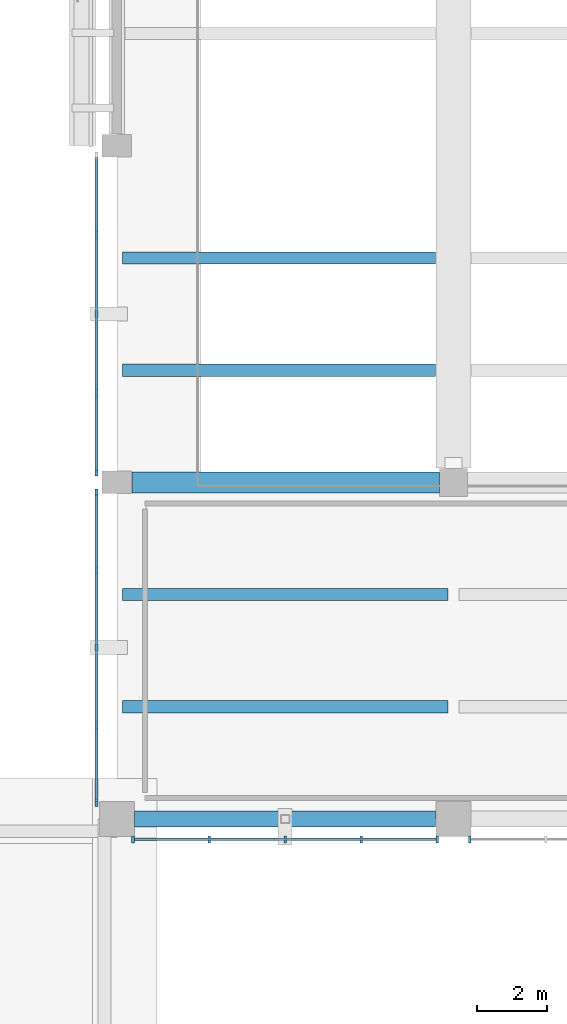
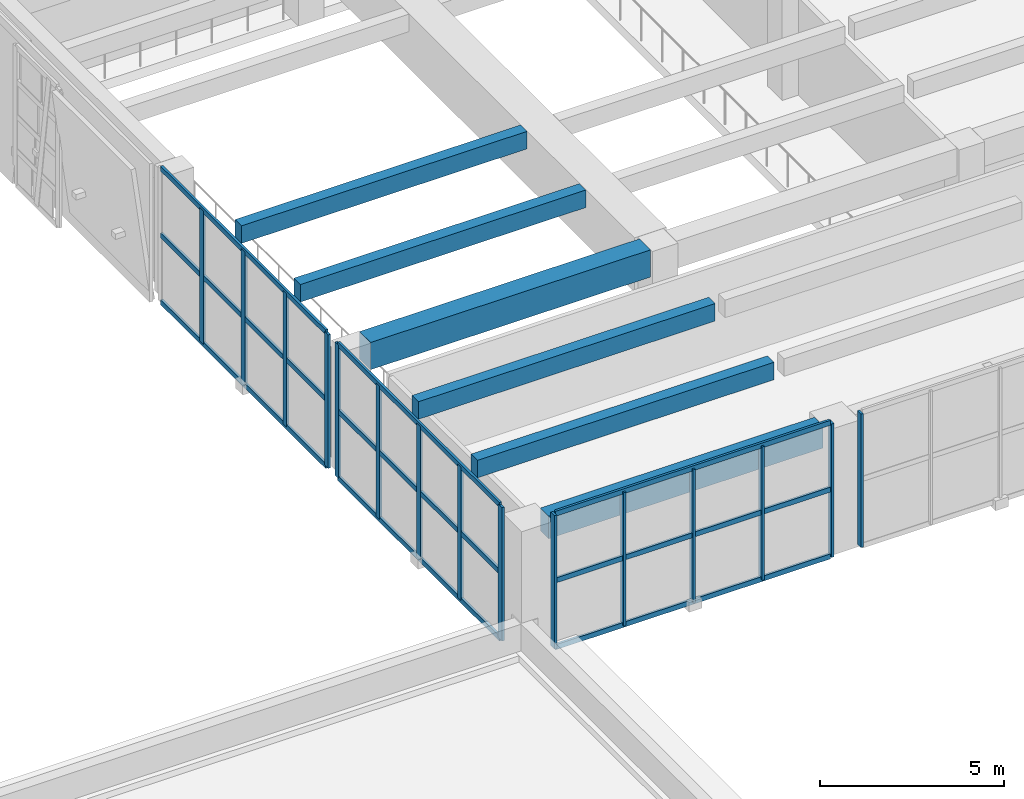
# One storey, part 6 of 49: 24 members, 6 beams, 4 elements without a shape of their own.
"""IFC4 building model written with IfcOpenShell, lengths in metres."""

from ifc_helpers import new_model, si_unit, direction, frame, origin, origin_2d, place, context, subcontext, project, spatial, rectangle, extrude, material, layer, layer_set, material_profile, profile_set, type_object, element, aggregate, save


model = new_model("IFC4")

# Units and contexts
model_context = context("Model", 3, precision=1e-05, world=origin(), true_north=direction((0.0, 1.0)))
body_context = subcontext(model_context, "Body", "Model", "MODEL_VIEW")
ifc_project = project(units=[si_unit("LENGTHUNIT", "METRE"), si_unit("AREAUNIT", "SQUARE_METRE"), si_unit("VOLUMEUNIT", "CUBIC_METRE"), si_unit("PLANEANGLEUNIT", "RADIAN"), si_unit("MASSUNIT", "GRAM", prefix="KILO")], contexts=[model_context])

# Site, building, storey
site_placement = place(None, origin())
site = spatial("IfcSite", under=ifc_project, at=site_placement, CompositionType="ELEMENT")
building_placement = place(site_placement, origin())
building = spatial("IfcBuilding", under=site, at=building_placement, Name="Bempovik Park Faculty of Sciences", CompositionType="ELEMENT")
storey_placement = place(building_placement, frame((0.0, 0.0, 5.39990234375)))
storey = spatial("IfcBuildingStorey", under=building, at=storey_placement, Name="L01", CompositionType="ELEMENT", Elevation=5.39990234375)

# Beams
ifc_material_1 = material(Name="Concrete C35/45", Category="concrete")
ifc_material_profile_1 = material_profile(ifc_material_1, rectangle(XDim=0.35009765625, YDim=0.580078125, at=origin_2d()), Name="RC 350x580")
ifc_profile_set_1 = profile_set([ifc_material_profile_1], Name="Concrete C35/45")
beam_type_1 = type_object("IfcBeamType", Name="B-107 RC 350x580", PredefinedType="JOIST", material=ifc_profile_set_1)
for number, where, z_axis, x_axis, name in (
    (1, (60.156005859375, 23.0, 3.89013671875), (1.0, 0.0, 0.0), (0.0, 1.0, 0.0), "L01 Secondary Joist (60.0-69.6, y=23.00)"),
    (2, (60.156005859375, 26.199951171875, 3.89013671875), (1.0, 0.0, 0.0), (0.0, 1.0, 0.0), "L01 Secondary Joist (60.0-69.6, y=26.20)"),
):
    element("IfcBeam", number, at=place(storey_placement, frame(where, z_axis=z_axis, x_axis=x_axis)), inside=storey, type_object=beam_type_1, Name=name, PredefinedType="JOIST", context=body_context, shape_type="SweptSolid", body=[
        extrude(rectangle(XDim=0.35009765625, YDim=0.580078125, at=origin_2d()), origin(), (0.0, 0.0, 1.0), 9.2880859375),
    ])
for number, where, z_axis, x_axis, name in (
    (3, (60.156005859375, 32.60009765625, 3.89013671875), (1.0, 0.0, 0.0), (0.0, 1.0, 0.0), "L01 Secondary Joist (60.0-69.6, y=32.60)"),
    (4, (60.156005859375, 35.800048828125, 3.89013671875), (1.0, 0.0, 0.0), (0.0, 1.0, 0.0), "L01 Secondary Joist (60.0-69.6, y=35.80)"),
):
    element("IfcBeam", number, at=place(storey_placement, frame(where, z_axis=z_axis, x_axis=x_axis)), inside=storey, type_object=beam_type_1, Name=name, PredefinedType="JOIST", context=body_context, shape_type="SweptSolid", body=[
        extrude(rectangle(XDim=0.35009765625, YDim=0.580078125, at=origin_2d()), origin(), (0.0, 0.0, 1.0), 8.93798828125),
    ])
ifc_material_2 = material(Name="Concrete C40/50", Category="concrete")
ifc_material_profile_2 = material_profile(ifc_material_2, rectangle(XDim=0.60009765625, YDim=0.89990234375, at=origin_2d()), Name="RC 600x900")
ifc_profile_set_2 = profile_set([ifc_material_profile_2], Name="Concrete C40/50")
beam_type_2 = type_object("IfcBeamType", Name="B-115 RC 600x900", PredefinedType="BEAM", material=ifc_profile_set_2)
beam_1_placement = place(storey_placement, frame((60.430908203125, 29.39990234375, 3.72998046875), z_axis=(1.0, 0.0, 0.0), x_axis=(0.0, 1.0, 0.0)))
element("IfcBeam", 5, at=beam_1_placement, inside=storey, type_object=beam_type_2, Name="L01 Beam X (60.0-69.6, y=29.4)", PredefinedType="BEAM", context=body_context, shape_type="SweptSolid", body=[
    extrude(rectangle(XDim=0.60009765625, YDim=0.89990234375, at=origin_2d()), origin(), (0.0, 0.0, 1.0), 8.76318359375),
])
ifc_material_profile_3 = material_profile(ifc_material_2, rectangle(XDim=0.449951171875, YDim=0.75, at=origin_2d()), Name="RC 450x750")
ifc_profile_set_3 = profile_set([ifc_material_profile_3], Name="Concrete C40/50")
beam_type_3 = type_object("IfcBeamType", Name="B-130 RC 450x750", PredefinedType="SPANDREL", material=ifc_profile_set_3)
beam_2_placement = place(storey_placement, frame((60.506103515625, 19.800048828125, 3.80517578125), z_axis=(1.0, 0.0, 0.0), x_axis=(0.0, 1.0, 0.0)))
element("IfcBeam", 6, at=beam_2_placement, inside=storey, type_object=beam_type_3, Name="L01 Beam X (60.0-69.6, y=19.8)", PredefinedType="SPANDREL", context=body_context, shape_type="SweptSolid", body=[
    extrude(rectangle(XDim=0.449951171875, YDim=0.75, at=origin_2d()), origin(), (0.0, 0.0, 1.0), 8.587890625),
])

# Curtain wall, members
ifc_material_3 = material(Name="Tempered laminated low-E glass", Category="glass")
ifc_layer = layer(ifc_material_3, 0.159912109375)
ifc_layer_set = layer_set([ifc_layer], Name="Tempered laminated low-E glass")
curtain_wall_type = type_object("IfcCurtainWallType", Name="CW-48 Curtain 7200x4200", PredefinedType="USERDEFINED", material=ifc_layer_set)
curtain_wall_1_placement = place(storey_placement, origin())
curtain_wall_1 = element("IfcCurtainWall", 7, at=curtain_wall_1_placement, inside=storey, type_object=curtain_wall_type, Name="L01 Recessed Entrance Foyer Curtain Wall (60.0-69.6)", ObjectType="UNITISED CURTAIN WALL", PredefinedType="USERDEFINED")
ifc_material_4 = material(Name="Anodised architectural bronze", Category="aluminium")
ifc_material_profile_4 = material_profile(ifc_material_4, rectangle(XDim=0.074951171875, YDim=0.199951171875, at=origin_2d()), Name="ALU-M 75x200")
ifc_profile_set_4 = profile_set([ifc_material_profile_4], Name="Anodised architectural bronze")
member_type_1 = type_object("IfcMemberType", Name="ML-17 ALU-M 75x200", PredefinedType="MULLION", material=ifc_profile_set_4)
member_1_placement = place(storey_placement, frame((60.4619140625, 19.219970703125, 0.080078125), z_axis=(0.0, 0.0, 1.0), x_axis=(1.0, 0.0, 0.0)))
member_1 = element("IfcMember", 8, at=member_1_placement, type_object=member_type_1, Name="CW-FOY-L01-198-600 Mullion 0", PredefinedType="MULLION", context=body_context, shape_type="SweptSolid", body=[
    extrude(rectangle(XDim=0.074951171875, YDim=0.199951171875, at=origin_2d()), origin(), (0.0, 0.0, 1.0), 4.419921875),
])
member_2_placement = place(storey_placement, frame((62.631103515625, 19.219970703125, 0.080078125), z_axis=(0.0, 0.0, 1.0), x_axis=(1.0, 0.0, 0.0)))
member_2 = element("IfcMember", 9, at=member_2_placement, type_object=member_type_1, Name="CW-FOY-L01-198-600 Mullion 1", PredefinedType="MULLION", context=body_context, shape_type="SweptSolid", body=[
    extrude(rectangle(XDim=0.074951171875, YDim=0.199951171875, at=origin_2d()), origin(), (0.0, 0.0, 1.0), 4.419921875),
])
member_3_placement = place(storey_placement, frame((64.800048828125, 19.219970703125, 0.080078125), z_axis=(0.0, 0.0, 1.0), x_axis=(1.0, 0.0, 0.0)))
member_3 = element("IfcMember", 10, at=member_3_placement, type_object=member_type_1, Name="CW-FOY-L01-198-600 Mullion 2", PredefinedType="MULLION", context=body_context, shape_type="SweptSolid", body=[
    extrude(rectangle(XDim=0.074951171875, YDim=0.199951171875, at=origin_2d()), origin(), (0.0, 0.0, 1.0), 4.419921875),
])
member_4_placement = place(storey_placement, frame((66.968994140625, 19.219970703125, 0.080078125), z_axis=(0.0, 0.0, 1.0), x_axis=(1.0, 0.0, 0.0)))
member_4 = element("IfcMember", 11, at=member_4_placement, type_object=member_type_1, Name="CW-FOY-L01-198-600 Mullion 3", PredefinedType="MULLION", context=body_context, shape_type="SweptSolid", body=[
    extrude(rectangle(XDim=0.074951171875, YDim=0.199951171875, at=origin_2d()), origin(), (0.0, 0.0, 1.0), 4.419921875),
])
member_5_placement = place(storey_placement, frame((69.137939453125, 19.219970703125, 0.080078125), z_axis=(0.0, 0.0, 1.0), x_axis=(1.0, 0.0, 0.0)))
member_5 = element("IfcMember", 12, at=member_5_placement, type_object=member_type_1, Name="CW-FOY-L01-198-600 Mullion 4", PredefinedType="MULLION", context=body_context, shape_type="SweptSolid", body=[
    extrude(rectangle(XDim=0.074951171875, YDim=0.199951171875, at=origin_2d()), origin(), (0.0, 0.0, 1.0), 4.419921875),
])

# Curtain wall, member
curtain_wall_2_placement = place(storey_placement, origin())
curtain_wall_2 = element("IfcCurtainWall", 13, at=curtain_wall_2_placement, inside=storey, type_object=curtain_wall_type, Name="L01 Recessed Entrance Foyer Curtain Wall (69.6-79.2)", ObjectType="UNITISED CURTAIN WALL", PredefinedType="USERDEFINED")
member_6_placement = place(storey_placement, frame((70.06201171875, 19.219970703125, 0.080078125), z_axis=(0.0, 0.0, 1.0), x_axis=(1.0, 0.0, 0.0)))
member_6 = element("IfcMember", 14, at=member_6_placement, type_object=member_type_1, Name="CW-FOY-L01-198-696 Mullion 0", PredefinedType="MULLION", context=body_context, shape_type="SweptSolid", body=[
    extrude(rectangle(XDim=0.074951171875, YDim=0.199951171875, at=origin_2d()), origin(), (0.0, 0.0, 1.0), 4.419921875),
])
aggregate(curtain_wall_2, [member_6])

# Curtain wall, members
curtain_wall_3_placement = place(storey_placement, origin())
curtain_wall_3 = element("IfcCurtainWall", 15, at=curtain_wall_3_placement, inside=storey, type_object=curtain_wall_type, Name="L01 Recessed Entrance Foyer Curtain Wall (19.8-29.4)", ObjectType="UNITISED CURTAIN WALL", PredefinedType="USERDEFINED")
member_7_placement = place(storey_placement, frame((59.419921875, 20.261962890625, 0.080078125), z_axis=(0.0, 0.0, 1.0), x_axis=(1.0, 0.0, 0.0)))
member_7 = element("IfcMember", 16, at=member_7_placement, type_object=member_type_1, Name="CW-FOY-L01-600-198 Mullion 0", PredefinedType="MULLION", context=body_context, shape_type="SweptSolid", body=[
    extrude(rectangle(XDim=0.074951171875, YDim=0.199951171875, at=origin_2d()), origin(), (0.0, 0.0, 1.0), 4.419921875),
])
member_8_placement = place(storey_placement, frame((59.419921875, 22.474853515625, 0.080078125), z_axis=(0.0, 0.0, 1.0), x_axis=(1.0, 0.0, 0.0)))
member_8 = element("IfcMember", 17, at=member_8_placement, type_object=member_type_1, Name="CW-FOY-L01-600-198 Mullion 1", PredefinedType="MULLION", context=body_context, shape_type="SweptSolid", body=[
    extrude(rectangle(XDim=0.074951171875, YDim=0.199951171875, at=origin_2d()), origin(), (0.0, 0.0, 1.0), 4.419921875),
])
member_9_placement = place(storey_placement, frame((59.419921875, 24.6875, 0.080078125), z_axis=(0.0, 0.0, 1.0), x_axis=(1.0, 0.0, 0.0)))
member_9 = element("IfcMember", 18, at=member_9_placement, type_object=member_type_1, Name="CW-FOY-L01-600-198 Mullion 2", PredefinedType="MULLION", context=body_context, shape_type="SweptSolid", body=[
    extrude(rectangle(XDim=0.074951171875, YDim=0.199951171875, at=origin_2d()), origin(), (0.0, 0.0, 1.0), 4.419921875),
])
member_10_placement = place(storey_placement, frame((59.419921875, 26.900146484375, 0.080078125), z_axis=(0.0, 0.0, 1.0), x_axis=(1.0, 0.0, 0.0)))
member_10 = element("IfcMember", 19, at=member_10_placement, type_object=member_type_1, Name="CW-FOY-L01-600-198 Mullion 3", PredefinedType="MULLION", context=body_context, shape_type="SweptSolid", body=[
    extrude(rectangle(XDim=0.074951171875, YDim=0.199951171875, at=origin_2d()), origin(), (0.0, 0.0, 1.0), 4.419921875),
])
member_11_placement = place(storey_placement, frame((59.419921875, 29.113037109375, 0.080078125), z_axis=(0.0, 0.0, 1.0), x_axis=(1.0, 0.0, 0.0)))
member_11 = element("IfcMember", 20, at=member_11_placement, type_object=member_type_1, Name="CW-FOY-L01-600-198 Mullion 4", PredefinedType="MULLION", context=body_context, shape_type="SweptSolid", body=[
    extrude(rectangle(XDim=0.074951171875, YDim=0.199951171875, at=origin_2d()), origin(), (0.0, 0.0, 1.0), 4.419921875),
])

curtain_wall_4_placement = place(storey_placement, origin())
curtain_wall_4 = element("IfcCurtainWall", 21, at=curtain_wall_4_placement, inside=storey, type_object=curtain_wall_type, Name="L01 Recessed Entrance Foyer Curtain Wall (29.4-39.0)", ObjectType="UNITISED CURTAIN WALL", PredefinedType="USERDEFINED")
member_12_placement = place(storey_placement, frame((59.419921875, 29.68701171875, 0.080078125), z_axis=(0.0, 0.0, 1.0), x_axis=(1.0, 0.0, 0.0)))
member_12 = element("IfcMember", 22, at=member_12_placement, type_object=member_type_1, Name="CW-FOY-L01-600-294 Mullion 0", PredefinedType="MULLION", context=body_context, shape_type="SweptSolid", body=[
    extrude(rectangle(XDim=0.074951171875, YDim=0.199951171875, at=origin_2d()), origin(), (0.0, 0.0, 1.0), 4.419921875),
])
member_13_placement = place(storey_placement, frame((59.419921875, 31.943603515625, 0.080078125), z_axis=(0.0, 0.0, 1.0), x_axis=(1.0, 0.0, 0.0)))
member_13 = element("IfcMember", 23, at=member_13_placement, type_object=member_type_1, Name="CW-FOY-L01-600-294 Mullion 1", PredefinedType="MULLION", context=body_context, shape_type="SweptSolid", body=[
    extrude(rectangle(XDim=0.074951171875, YDim=0.199951171875, at=origin_2d()), origin(), (0.0, 0.0, 1.0), 4.419921875),
])
member_14_placement = place(storey_placement, frame((59.419921875, 34.199951171875, 0.080078125), z_axis=(0.0, 0.0, 1.0), x_axis=(1.0, 0.0, 0.0)))
member_14 = element("IfcMember", 24, at=member_14_placement, type_object=member_type_1, Name="CW-FOY-L01-600-294 Mullion 2", PredefinedType="MULLION", context=body_context, shape_type="SweptSolid", body=[
    extrude(rectangle(XDim=0.074951171875, YDim=0.199951171875, at=origin_2d()), origin(), (0.0, 0.0, 1.0), 4.419921875),
])
member_15_placement = place(storey_placement, frame((59.419921875, 36.45654296875, 0.080078125), z_axis=(0.0, 0.0, 1.0), x_axis=(1.0, 0.0, 0.0)))
member_15 = element("IfcMember", 25, at=member_15_placement, type_object=member_type_1, Name="CW-FOY-L01-600-294 Mullion 3", PredefinedType="MULLION", context=body_context, shape_type="SweptSolid", body=[
    extrude(rectangle(XDim=0.074951171875, YDim=0.199951171875, at=origin_2d()), origin(), (0.0, 0.0, 1.0), 4.419921875),
])

# Member
ifc_material_profile_5 = material_profile(ifc_material_4, rectangle(XDim=0.074951171875, YDim=0.1650390625, at=origin_2d()), Name="ALU-T 75x165")
ifc_profile_set_5 = profile_set([ifc_material_profile_5], Name="Anodised architectural bronze")
member_type_2 = type_object("IfcMemberType", Name="TR-15 ALU-T 75x165", PredefinedType="USERDEFINED", material=ifc_profile_set_5)
member_16_placement = place(storey_placement, frame((60.501953125, 19.219970703125, 0.080078125), z_axis=(1.0, 0.0, 0.0), x_axis=(0.0, 1.0, 0.0)))
member_16 = element("IfcMember", 26, at=member_16_placement, type_object=member_type_2, Name="CW-FOY-L01-198-600 Transom 0", ObjectType="TRANSOM", PredefinedType="USERDEFINED", context=body_context, shape_type="SweptSolid", body=[
    extrude(rectangle(XDim=0.074951171875, YDim=0.1650390625, at=origin_2d()), origin(), (0.0, 0.0, 1.0), 8.595947265625),
])

member_17_placement = place(storey_placement, frame((60.501953125, 19.219970703125, 2.2900390625), z_axis=(1.0, 0.0, 0.0), x_axis=(0.0, 1.0, 0.0)))
member_17 = element("IfcMember", 27, at=member_17_placement, type_object=member_type_2, Name="CW-FOY-L01-198-600 Transom 1", ObjectType="TRANSOM", PredefinedType="USERDEFINED", context=body_context, shape_type="SweptSolid", body=[
    extrude(rectangle(XDim=0.074951171875, YDim=0.1650390625, at=origin_2d()), origin(), (0.0, 0.0, 1.0), 8.595947265625),
])

member_18_placement = place(storey_placement, frame((60.501953125, 19.219970703125, 4.5), z_axis=(1.0, 0.0, 0.0), x_axis=(0.0, 1.0, 0.0)))
member_18 = element("IfcMember", 28, at=member_18_placement, type_object=member_type_2, Name="CW-FOY-L01-198-600 Transom 2", ObjectType="TRANSOM", PredefinedType="USERDEFINED", context=body_context, shape_type="SweptSolid", body=[
    extrude(rectangle(XDim=0.074951171875, YDim=0.1650390625, at=origin_2d()), origin(), (0.0, 0.0, 1.0), 8.595947265625),
])

aggregate(curtain_wall_1, [member_1, member_2, member_3, member_4, member_5, member_16, member_17, member_18])

member_19_placement = place(storey_placement, frame((59.419921875, 20.302001953125, 0.080078125), z_axis=(0.0, 1.0, 0.0), x_axis=(-1.0, 0.0, 0.0)))
member_19 = element("IfcMember", 29, at=member_19_placement, type_object=member_type_2, Name="CW-FOY-L01-600-198 Transom 0", ObjectType="TRANSOM", PredefinedType="USERDEFINED", context=body_context, shape_type="SweptSolid", body=[
    extrude(rectangle(XDim=0.074951171875, YDim=0.1650390625, at=origin_2d()), origin(), (0.0, 0.0, 1.0), 8.77099609375),
])

member_20_placement = place(storey_placement, frame((59.419921875, 20.302001953125, 2.2900390625), z_axis=(0.0, 1.0, 0.0), x_axis=(-1.0, 0.0, 0.0)))
member_20 = element("IfcMember", 30, at=member_20_placement, type_object=member_type_2, Name="CW-FOY-L01-600-198 Transom 1", ObjectType="TRANSOM", PredefinedType="USERDEFINED", context=body_context, shape_type="SweptSolid", body=[
    extrude(rectangle(XDim=0.074951171875, YDim=0.1650390625, at=origin_2d()), origin(), (0.0, 0.0, 1.0), 8.77099609375),
])

member_21_placement = place(storey_placement, frame((59.419921875, 20.302001953125, 4.5), z_axis=(0.0, 1.0, 0.0), x_axis=(-1.0, 0.0, 0.0)))
member_21 = element("IfcMember", 31, at=member_21_placement, type_object=member_type_2, Name="CW-FOY-L01-600-198 Transom 2", ObjectType="TRANSOM", PredefinedType="USERDEFINED", context=body_context, shape_type="SweptSolid", body=[
    extrude(rectangle(XDim=0.074951171875, YDim=0.1650390625, at=origin_2d()), origin(), (0.0, 0.0, 1.0), 8.77099609375),
])

aggregate(curtain_wall_3, [member_7, member_8, member_9, member_10, member_11, member_19, member_20, member_21])

member_22_placement = place(storey_placement, frame((59.419921875, 29.72705078125, 0.080078125), z_axis=(0.0, 1.0, 0.0), x_axis=(-1.0, 0.0, 0.0)))
member_22 = element("IfcMember", 32, at=member_22_placement, type_object=member_type_2, Name="CW-FOY-L01-600-294 Transom 0", ObjectType="TRANSOM", PredefinedType="USERDEFINED", context=body_context, shape_type="SweptSolid", body=[
    extrude(rectangle(XDim=0.074951171875, YDim=0.1650390625, at=origin_2d()), origin(), (0.0, 0.0, 1.0), 8.946044921875),
])

member_23_placement = place(storey_placement, frame((59.419921875, 29.72705078125, 2.2900390625), z_axis=(0.0, 1.0, 0.0), x_axis=(-1.0, 0.0, 0.0)))
member_23 = element("IfcMember", 33, at=member_23_placement, type_object=member_type_2, Name="CW-FOY-L01-600-294 Transom 1", ObjectType="TRANSOM", PredefinedType="USERDEFINED", context=body_context, shape_type="SweptSolid", body=[
    extrude(rectangle(XDim=0.074951171875, YDim=0.1650390625, at=origin_2d()), origin(), (0.0, 0.0, 1.0), 8.946044921875),
])

member_24_placement = place(storey_placement, frame((59.419921875, 29.72705078125, 4.5), z_axis=(0.0, 1.0, 0.0), x_axis=(-1.0, 0.0, 0.0)))
member_24 = element("IfcMember", 34, at=member_24_placement, type_object=member_type_2, Name="CW-FOY-L01-600-294 Transom 2", ObjectType="TRANSOM", PredefinedType="USERDEFINED", context=body_context, shape_type="SweptSolid", body=[
    extrude(rectangle(XDim=0.074951171875, YDim=0.1650390625, at=origin_2d()), origin(), (0.0, 0.0, 1.0), 8.946044921875),
])

aggregate(curtain_wall_4, [member_12, member_13, member_14, member_15, member_22, member_23, member_24])

save(model, "model.ifc")
